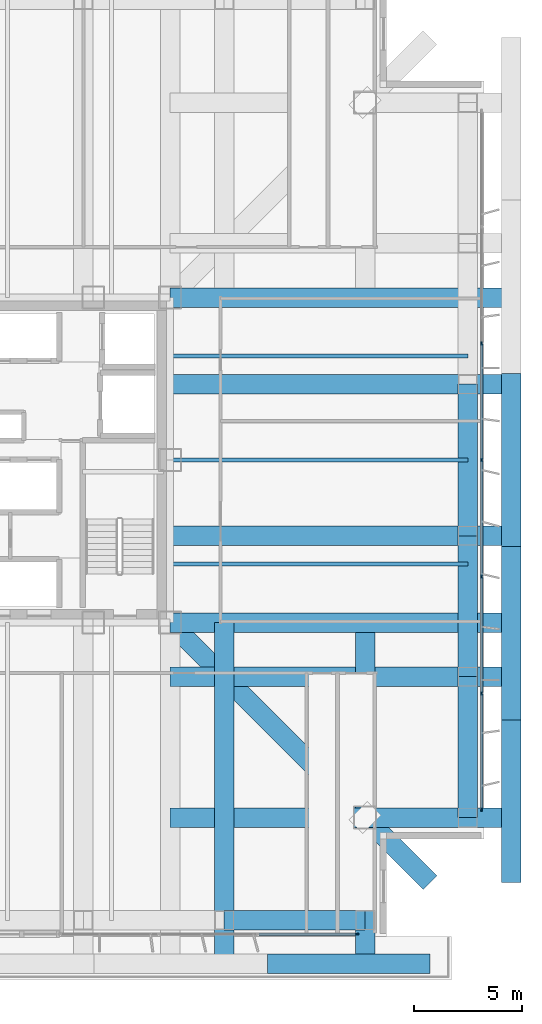
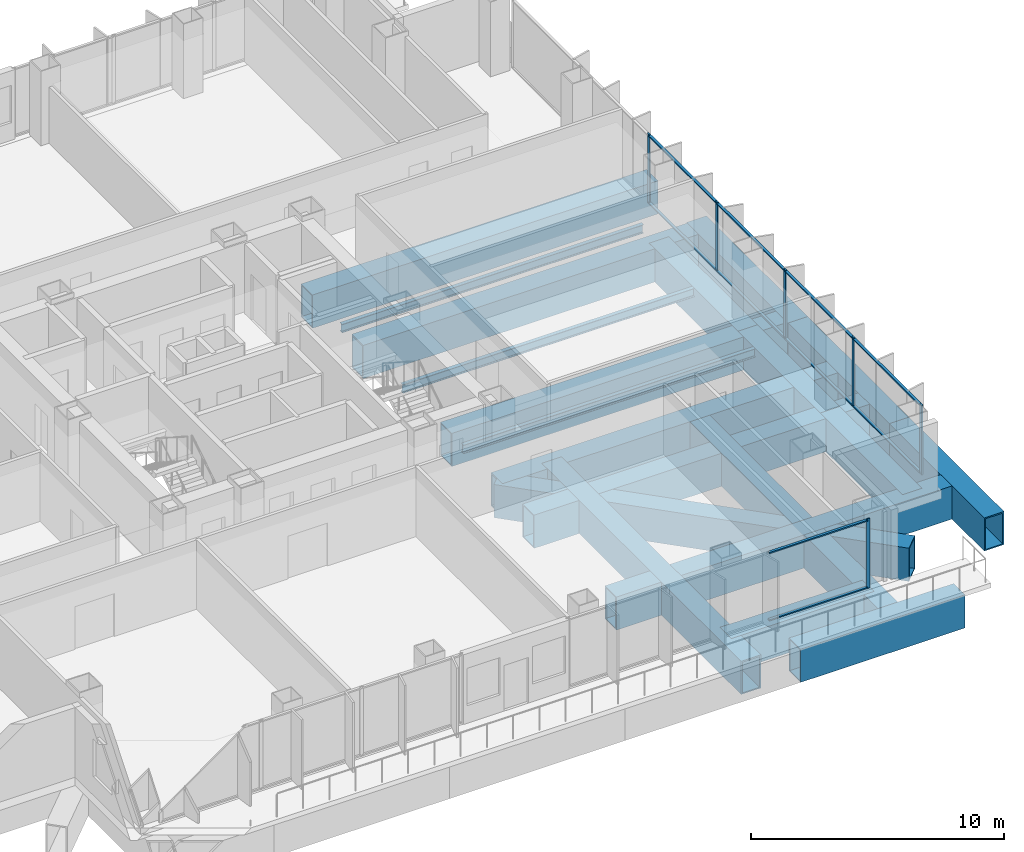
# One storey, part 6 of 17: 20 beams, 16 members, 2 elements without a shape of their own.
"""IFC4 building model written with IfcOpenShell, lengths in metres."""

import ifcopenshell
import ifcopenshell.guid

model = None  # the IFC model being written
_history = None  # IfcOwnerHistory: only IFC2X3 demands one
_inside = {}  # id of a spatial element -> (the spatial element, [elements in it])
_under = {}  # id of a project, library or spatial element -> (it, [spatial elements below it])
_declared = {}  # id of a project -> (the project, [libraries it declares])
_typed = {}  # id of a type object -> (the type object, [elements of that type])
_made_of = {}  # id of a material, layer set ... -> (it, [elements and type objects made of it])


def new_model(schema):
    """Start an empty IFC model of exactly this schema.

    Asked for "IFC4X3", IfcOpenShell would pick the latest addendum, in which some entities
    have other attributes; the version numbers below select the first issue.
    IFC2X3 requires an IfcOwnerHistory on every rooted entity: one is made here for all.
    """
    global model, _history
    if schema == "IFC4X3":
        model = ifcopenshell.file(schema_version=(4, 3, 0, 0))
    else:
        model = ifcopenshell.file(schema=schema)
    _inside.clear()
    _under.clear()
    _declared.clear()
    _typed.clear()
    _made_of.clear()
    _history = None
    if model.schema == "IFC2X3":
        org = make("IfcOrganization", Name="unknown")
        user = make(
            "IfcPersonAndOrganization",
            ThePerson=make("IfcPerson", FamilyName="unknown"),
            TheOrganization=org,
        )
        app = make(
            "IfcApplication",
            ApplicationDeveloper=org,
            Version="unknown",
            ApplicationFullName="unknown",
            ApplicationIdentifier="unknown",
        )
        _history = make(
            "IfcOwnerHistory",
            OwningUser=user,
            OwningApplication=app,
            ChangeAction="ADDED",
            CreationDate=0,
        )
    return model


def make(cls, **values):
    """One entity of the class cls with the attributes given. An attribute that is None is left unset."""
    return model.create_entity(
        cls, **{name: value for name, value in values.items() if value is not None}
    )


def rooted(cls, **values):
    """An entity with a GlobalId (a new one), such as an element, a storey or a relation."""
    return make(cls, GlobalId=ifcopenshell.guid.new(), OwnerHistory=_history, **values)


def si_unit(unit_type, name, prefix=None):
    """IfcSIUnit, for example si_unit("LENGTHUNIT", "METRE", prefix="MILLI")."""
    return make("IfcSIUnit", UnitType=unit_type, Prefix=prefix, Name=name)


def assignment(units):
    """IfcUnitAssignment: the units of a project."""
    return None if units is None else make("IfcUnitAssignment", Units=units)


def point(xyz):
    """IfcCartesianPoint."""
    return None if xyz is None else make("IfcCartesianPoint", Coordinates=xyz)


def direction(xyz):
    """IfcDirection."""
    return None if xyz is None else make("IfcDirection", DirectionRatios=xyz)


def frame(location, z_axis=None, x_axis=None):
    """IfcAxis2Placement3D, a coordinate frame: its origin and axes. An axis left out is left unset."""
    return make(
        "IfcAxis2Placement3D",
        Location=point(location),
        Axis=direction(z_axis),
        RefDirection=direction(x_axis),
    )


def frame_2d(location, x_axis=None):
    """IfcAxis2Placement2D, a coordinate frame in the plane: its origin and x axis."""
    return make(
        "IfcAxis2Placement2D", Location=point(location), RefDirection=direction(x_axis)
    )


def origin():
    """The frame at (0, 0, 0) with its axes left unset."""
    return frame((0.0, 0.0, 0.0))


def origin_2d():
    """The frame at (0, 0) in the plane with its x axis left unset."""
    return frame_2d((0.0, 0.0))


def place(relative_to, where):
    """IfcLocalPlacement: puts the frame where relative to a parent placement (None: the world)."""
    return make(
        "IfcLocalPlacement", PlacementRelTo=relative_to, RelativePlacement=where
    )


def context(
    kind, dimensions, precision=None, world=None, true_north=None, identifier=None
):
    """IfcGeometricRepresentationContext, for example the 3D "Model" context."""
    return make(
        "IfcGeometricRepresentationContext",
        ContextIdentifier=identifier,
        ContextType=kind,
        CoordinateSpaceDimension=dimensions,
        Precision=precision,
        WorldCoordinateSystem=world,
        TrueNorth=true_north,
    )


def subcontext(parent, identifier, kind, view, scale=None):
    """IfcGeometricRepresentationSubContext, for example "Body" below "Model"."""
    return make(
        "IfcGeometricRepresentationSubContext",
        ContextIdentifier=identifier,
        ContextType=kind,
        ParentContext=parent,
        TargetScale=scale,
        TargetView=view,
    )


def project(units=None, contexts=None):
    """IfcProject with its units and contexts."""
    return rooted(
        "IfcProject",
        Name="project",
        RepresentationContexts=contexts,
        UnitsInContext=assignment(units),
    )


def spatial(cls, under=None, at=None, **own):
    """A site, building, storey or space (cls), placed at a placement, below another one or the project."""
    s = rooted(cls, ObjectPlacement=at, **own)
    if under is not None:
        _under.setdefault(under.id(), (under, []))[1].append(s)
    return s


def profile(cls, at=None, kind="AREA", **sizes):
    """A parametric profile (cls). Its sizes go by their IFC names, for example OverallWidth=200.0."""
    return make(cls, ProfileType=kind, Position=at, **sizes)


def rectangle(**sizes):
    """IfcRectangleProfileDef."""
    return profile("IfcRectangleProfileDef", **sizes)


def hollow_rectangle(**sizes):
    """IfcRectangleHollowProfileDef."""
    return profile("IfcRectangleHollowProfileDef", **sizes)


def i_section(**sizes):
    """IfcIShapeProfileDef."""
    return profile("IfcIShapeProfileDef", **sizes)


def extrude(swept, where, along, depth):
    """IfcExtrudedAreaSolid: the profile swept, set in the frame where, extruded along a direction by depth."""
    return make(
        "IfcExtrudedAreaSolid",
        SweptArea=swept,
        Position=where,
        ExtrudedDirection=direction(along),
        Depth=depth,
    )


def shape(context_of_items, identifier, shape_type, items):
    """IfcShapeRepresentation: the items that make up one representation, for example the "Body"."""
    return make(
        "IfcShapeRepresentation",
        ContextOfItems=context_of_items,
        RepresentationIdentifier=identifier,
        RepresentationType=shape_type,
        Items=items,
    )


def material(Name=None, Category=None):
    """IfcMaterial."""
    return make("IfcMaterial", Name=Name, Category=Category)


def layer(
    of_material, thickness, ventilated=None, Name=None, Category=None, Priority=None
):
    """IfcMaterialLayer: one layer of a wall or slab, of a material (None: an air gap)."""
    return make(
        "IfcMaterialLayer",
        Material=of_material,
        LayerThickness=thickness,
        IsVentilated=ventilated,
        Name=Name,
        Category=Category,
        Priority=Priority,
    )


def layer_set(layers, Name=None):
    """IfcMaterialLayerSet."""
    return make("IfcMaterialLayerSet", MaterialLayers=layers, LayerSetName=Name)


def material_profile(
    of_material, cross_section, Name=None, Category=None, Priority=None
):
    """IfcMaterialProfile: a cross section and its material."""
    return make(
        "IfcMaterialProfile",
        Name=Name,
        Material=of_material,
        Profile=cross_section,
        Priority=Priority,
        Category=Category,
    )


def profile_set(profiles, Name=None, composite=None):
    """IfcMaterialProfileSet."""
    return make(
        "IfcMaterialProfileSet",
        Name=Name,
        MaterialProfiles=profiles,
        CompositeProfile=composite,
    )


def made_of(thing, what):
    """Note that an element or type object is made of a material, layer set ...; save() writes the relation."""
    if what is not None:
        _made_of.setdefault(what.id(), (what, []))[1].append(thing)
    return thing


def type_object(cls, material=None, **own):
    """A type object (cls), such as IfcWallType, which elements share."""
    return made_of(rooted(cls, **own), material)


def element(
    cls,
    number,
    at=None,
    inside=None,
    cuts=None,
    type_object=None,
    material=None,
    context=None,
    identifier="Body",
    shape_type=None,
    held_by="IfcProductDefinitionShape",
    body=None,
    shapes=None,
    **own,
):
    """One element of the class cls, such as IfcWall. Its Tag is "e" and its number.

    at: its placement. inside: the storey or other place that contains it. cuts: it is an
    opening in that element (IfcRelVoidsElement). A single representation is given by context,
    identifier, shape_type and body (its items); several are given by shapes. held_by: the class
    of the entity that holds the representations. save() writes the other relations.
    """
    e = rooted(cls, Tag="e%d" % number, ObjectPlacement=at, **own)
    if body is not None:
        shapes = [shape(context, identifier, shape_type, body)]
    if shapes is not None:
        e.Representation = make(held_by, Representations=shapes)
    if inside is not None:
        _inside.setdefault(inside.id(), (inside, []))[1].append(e)
    if cuts is not None:
        rooted(
            "IfcRelVoidsElement", RelatingBuildingElement=cuts, RelatedOpeningElement=e
        )
    if type_object is not None:
        _typed.setdefault(type_object.id(), (type_object, []))[1].append(e)
    return made_of(e, material)


def aggregate(whole, parts):
    """IfcRelAggregates: a whole, such as a stair, and the parts it consists of."""
    return rooted("IfcRelAggregates", RelatingObject=whole, RelatedObjects=parts)


def save(model, path):
    """Write the relations noted so far, then the file.

    IfcRelAggregates (storeys below a building ...), IfcRelContainedInSpatialStructure (elements
    in a storey), IfcRelDefinesByType, IfcRelAssociatesMaterial and IfcRelDeclares: one each for
    every whole, place, type object, material and project.
    """
    for whole, parts in _under.values():
        aggregate(whole, parts)
    for where, things in _inside.values():
        rooted(
            "IfcRelContainedInSpatialStructure",
            RelatedElements=things,
            RelatingStructure=where,
        )
    for kind, things in _typed.values():
        rooted("IfcRelDefinesByType", RelatedObjects=things, RelatingType=kind)
    for what, things in _made_of.values():
        rooted("IfcRelAssociatesMaterial", RelatedObjects=things, RelatingMaterial=what)
    for by, libraries in _declared.values():
        rooted("IfcRelDeclares", RelatingContext=by, RelatedDefinitions=libraries)
    model.write(path)


model = new_model("IFC4")

# Units and contexts
model_context = context("Model", 3, precision=1e-05, world=origin(), true_north=direction((0.0, 1.0)))
body_context = subcontext(model_context, "Body", "Model", "MODEL_VIEW")
ifc_project = project(units=[si_unit("LENGTHUNIT", "METRE"), si_unit("AREAUNIT", "SQUARE_METRE"), si_unit("VOLUMEUNIT", "CUBIC_METRE"), si_unit("PLANEANGLEUNIT", "RADIAN"), si_unit("MASSUNIT", "GRAM", prefix="KILO")], contexts=[model_context])

# Site, building, storey
site_placement = place(None, origin())
site = spatial("IfcSite", under=ifc_project, at=site_placement, CompositionType="ELEMENT")
building_placement = place(site_placement, origin())
building = spatial("IfcBuilding", under=site, at=building_placement, Name="Trevonay Congress Spire", CompositionType="ELEMENT")
storey_placement = place(building_placement, frame((0.0, 0.0, 94.0)))
storey = spatial("IfcBuildingStorey", under=building, at=storey_placement, Name="L23", CompositionType="ELEMENT", Elevation=94.0)

# Beams
ifc_material_1 = material(Name="Steel ASTM A572 Grade 50", Category="steel")
ifc_material_profile_1 = material_profile(ifc_material_1, hollow_rectangle(XDim=0.89990234375, YDim=1.60009765625, WallThickness=0.06005859375, at=origin_2d()), Name="BOX 1600x900x60")
ifc_profile_set_1 = profile_set([ifc_material_profile_1], Name="Steel ASTM A572 Grade 50")
beam_type_1 = type_object("IfcBeamType", Name="BM-RING-BOX1600", PredefinedType="BEAM", material=ifc_profile_set_1)
for number, where, z_axis, x_axis, name in (
    (1, (21.25, -16.5, -1.199951171875), (0.0, 1.0, 0.0), (-1.0, 0.0, 0.0), "L23 structural beam BM-L23-PE1"),
    (2, (21.25, -10.0, -1.199951171875), (0.0, 1.0, 0.0), (-1.0, 0.0, 0.0), "L23 structural beam BM-L23-PE2"),
):
    element("IfcBeam", number, at=place(storey_placement, frame(where, z_axis=z_axis, x_axis=x_axis)), inside=storey, type_object=beam_type_1, Name=name, PredefinedType="BEAM", context=body_context, shape_type="SweptSolid", body=[
        extrude(hollow_rectangle(XDim=0.89990234375, YDim=1.60009765625, WallThickness=0.06005859375, at=origin_2d()), origin(), (0.0, 0.0, 1.0), 6.5),
    ])
beam_1_placement = place(storey_placement, frame((21.25, -3.5, -1.199951171875), z_axis=(0.0, 1.0, 0.0), x_axis=(-1.0, 0.0, 0.0)))
element("IfcBeam", 3, at=beam_1_placement, inside=storey, type_object=beam_type_1, Name="L23 structural beam BM-L23-PE3", PredefinedType="BEAM", context=body_context, shape_type="SweptSolid", body=[
    extrude(hollow_rectangle(XDim=0.89990234375, YDim=1.60009765625, WallThickness=0.06005859375, at=origin_2d()), origin(), (0.0, 0.0, 1.0), 7.0),
])
beam_2_placement = place(storey_placement, frame((10.0, -21.25, -1.199951171875), z_axis=(1.0, 0.0, 0.0), x_axis=(0.0, 1.0, 0.0)))
element("IfcBeam", 4, at=beam_2_placement, inside=storey, type_object=beam_type_1, Name="L23 structural beam BM-L23-PS5", PredefinedType="BEAM", context=body_context, shape_type="SweptSolid", body=[
    extrude(hollow_rectangle(XDim=0.89990234375, YDim=1.60009765625, WallThickness=0.06005859375, at=origin_2d()), origin(), (0.0, 0.0, 1.0), 6.5),
])
beam_3_placement = place(storey_placement, frame((23.25, -19.5, -1.199951171875), z_axis=(0.0, 1.0, 0.0), x_axis=(-1.0, 0.0, 0.0)))
element("IfcBeam", 5, at=beam_3_placement, inside=storey, type_object=beam_type_1, Name="L23 structural beam XOUT-L23-E0", PredefinedType="BEAM", context=body_context, shape_type="SweptSolid", body=[
    extrude(hollow_rectangle(XDim=0.89990234375, YDim=1.60009765625, WallThickness=0.06005859375, at=origin_2d()), origin(), (0.0, 0.0, 1.0), 7.5),
])
for number, where, z_axis, x_axis, name in (
    (6, (23.25, -12.0, -1.199951171875), (0.0, 1.0, 0.0), (-1.0, 0.0, 0.0), "L23 structural beam XOUT-L23-E1"),
    (7, (23.25, -4.0, -1.199951171875), (0.0, 1.0, 0.0), (-1.0, 0.0, 0.0), "L23 structural beam XOUT-L23-E2"),
):
    element("IfcBeam", number, at=place(storey_placement, frame(where, z_axis=z_axis, x_axis=x_axis)), inside=storey, type_object=beam_type_1, Name=name, PredefinedType="BEAM", context=body_context, shape_type="SweptSolid", body=[
        extrude(hollow_rectangle(XDim=0.89990234375, YDim=1.60009765625, WallThickness=0.06005859375, at=origin_2d()), origin(), (0.0, 0.0, 1.0), 8.0),
    ])
beam_4_placement = place(storey_placement, frame((12.0, -23.25, -1.199951171875), z_axis=(1.0, 0.0, 0.0), x_axis=(0.0, 1.0, 0.0)))
element("IfcBeam", 8, at=beam_4_placement, inside=storey, type_object=beam_type_1, Name="L23 structural beam XOUT-L23-S4", PredefinedType="BEAM", context=body_context, shape_type="SweptSolid", body=[
    extrude(hollow_rectangle(XDim=0.89990234375, YDim=1.60009765625, WallThickness=0.06005859375, at=origin_2d()), origin(), (0.0, 0.0, 1.0), 7.5),
])
ifc_material_profile_2 = material_profile(ifc_material_1, hollow_rectangle(XDim=0.89990234375, YDim=1.60009765625, WallThickness=0.06005859375, at=origin_2d()), Name="BOX 1600x900x60")
ifc_profile_set_2 = profile_set([ifc_material_profile_2], Name="Steel ASTM A572 Grade 50")
beam_type_2 = type_object("IfcBeamType", Name="BM-XFER-BOX1600", PredefinedType="BEAM", material=ifc_profile_set_2)
beam_5_placement = place(storey_placement, frame((7.5, -7.5, -1.199951171875), z_axis=(0.707106781187, -0.707106781187, 0.0), x_axis=(0.707106781187, 0.707106781187, 0.0)))
element("IfcBeam", 9, at=beam_5_placement, inside=storey, type_object=beam_type_2, Name="L23 structural beam BM-L23-CDSE", PredefinedType="BEAM", context=body_context, shape_type="SweptSolid", body=[
    extrude(hollow_rectangle(XDim=0.89990234375, YDim=1.60009765625, WallThickness=0.06005859375, at=origin_2d()), origin(), (0.0, 0.0, 1.0), 16.970458984375),
])
for number, where, z_axis, x_axis, name in (
    (10, (7.5, -7.5, -1.199951171875), (1.0, 0.0, 0.0), (0.0, 1.0, 0.0), "L23 structural beam XSPN-L23-CX-SE"),
    (11, (7.5, 7.5, -1.199951171875), (1.0, 0.0, 0.0), (0.0, 1.0, 0.0), "L23 structural beam XSPN-L23-CX-NE"),
    (12, (7.5, -16.5, -1.199951171875), (1.0, 0.0, 0.0), (0.0, 1.0, 0.0), "L23 structural beam XFER-L23-E0"),
    (13, (7.5, -10.0, -1.199951171875), (1.0, 0.0, 0.0), (0.0, 1.0, 0.0), "L23 structural beam XFER-L23-E1"),
    (14, (7.5, -3.5, -1.199951171875), (1.0, 0.0, 0.0), (0.0, 1.0, 0.0), "L23 structural beam XFER-L23-E2"),
    (15, (7.5, 3.5, -1.199951171875), (1.0, 0.0, 0.0), (0.0, 1.0, 0.0), "L23 structural beam XFER-L23-E3"),
    (16, (10.0, -7.5, -1.199951171875), (0.0, -1.0, 0.0), (1.0, 0.0, 0.0), "L23 structural beam XFER-L23-S4"),
    (17, (16.5, -7.5, -1.199951171875), (0.0, -1.0, 0.0), (1.0, 0.0, 0.0), "L23 structural beam XFER-L23-S5"),
):
    element("IfcBeam", number, at=place(storey_placement, frame(where, z_axis=z_axis, x_axis=x_axis)), inside=storey, type_object=beam_type_2, Name=name, PredefinedType="BEAM", context=body_context, shape_type="SweptSolid", body=[
        extrude(hollow_rectangle(XDim=0.89990234375, YDim=1.60009765625, WallThickness=0.06005859375, at=origin_2d()), origin(), (0.0, 0.0, 1.0), 15.75),
    ])

# Curtain wall, member
ifc_material_2 = material(Name="Pale Anodised Aluminium EN AW-6063-T6", Category="aluminium")
ifc_layer = layer(ifc_material_2, 0.175048828125, Name="Pale Anodised Aluminium EN AW-6063-T6")
ifc_layer_set = layer_set([ifc_layer], Name="Pale Anodised Aluminium EN AW-6063-T6")
curtain_wall_type = type_object("IfcCurtainWallType", Name="CW-SYS03-CONGRESS-PALE-METAL", PredefinedType="NOTDEFINED", material=ifc_layer_set)
curtain_wall_1_placement = place(storey_placement, origin())
curtain_wall_1 = element("IfcCurtainWall", 18, at=curtain_wall_1_placement, inside=storey, type_object=curtain_wall_type, Name="L23 SB unitised curtain wall", PredefinedType="NOTDEFINED")
ifc_material_profile_3 = material_profile(ifc_material_2, rectangle(XDim=0.06005859375, YDim=0.159912109375, at=origin_2d()), Name="CW-MULLION-160-ALUMINIUM")
ifc_profile_set_3 = profile_set([ifc_material_profile_3], Name="Pale Anodised Aluminium EN AW-6063-T6")
member_type_1 = type_object("IfcMemberType", Name="CW-MULLION-160-ALUMINIUM", PredefinedType="MULLION", material=ifc_profile_set_3)
member_1_placement = place(storey_placement, frame((16.1201171875, -21.8798828125, 0.0), z_axis=(0.0, 0.0, 1.0), x_axis=(0.0, 1.0, 0.0)))
member_1 = element("IfcMember", 19, at=member_1_placement, type_object=member_type_1, Name="CW03 mullion 4", PredefinedType="MULLION", context=body_context, shape_type="SweptSolid", body=[
    extrude(rectangle(XDim=0.06005859375, YDim=0.159912109375, at=origin_2d()), origin(), (0.0, 0.0, 1.0), 3.360107421875),
])

# Curtain wall, members
curtain_wall_2_placement = place(storey_placement, origin())
curtain_wall_2 = element("IfcCurtainWall", 20, at=curtain_wall_2_placement, inside=storey, type_object=curtain_wall_type, Name="L23 E unitised curtain wall", PredefinedType="NOTDEFINED")
member_2_placement = place(storey_placement, frame((21.8798828125, -16.1201171875, 0.0), z_axis=(0.0, 0.0, 1.0), x_axis=(-1.0, 0.0, 0.0)))
member_2 = element("IfcMember", 21, at=member_2_placement, type_object=member_type_1, Name="CW03 mullion 1", PredefinedType="MULLION", context=body_context, shape_type="SweptSolid", body=[
    extrude(rectangle(XDim=0.06005859375, YDim=0.159912109375, at=origin_2d()), origin(), (0.0, 0.0, 1.0), 3.360107421875),
])
member_3_placement = place(storey_placement, frame((21.8798828125, -10.7666015625, 0.0), z_axis=(0.0, 0.0, 1.0), x_axis=(-1.0, 0.0, 0.0)))
member_3 = element("IfcMember", 22, at=member_3_placement, type_object=member_type_1, Name="CW03 mullion 2", PredefinedType="MULLION", context=body_context, shape_type="SweptSolid", body=[
    extrude(rectangle(XDim=0.06005859375, YDim=0.159912109375, at=origin_2d()), origin(), (0.0, 0.0, 1.0), 3.360107421875),
])
member_4_placement = place(storey_placement, frame((21.8798828125, -5.38330078125, 0.0), z_axis=(0.0, 0.0, 1.0), x_axis=(-1.0, 0.0, 0.0)))
member_4 = element("IfcMember", 23, at=member_4_placement, type_object=member_type_1, Name="CW03 mullion 3", PredefinedType="MULLION", context=body_context, shape_type="SweptSolid", body=[
    extrude(rectangle(XDim=0.06005859375, YDim=0.159912109375, at=origin_2d()), origin(), (0.0, 0.0, 1.0), 3.360107421875),
])
member_5_placement = place(storey_placement, frame((21.8798828125, 0.0, 0.0), z_axis=(0.0, 0.0, 1.0), x_axis=(-1.0, 0.0, 0.0)))
member_5 = element("IfcMember", 24, at=member_5_placement, type_object=member_type_1, Name="CW03 mullion 4", PredefinedType="MULLION", context=body_context, shape_type="SweptSolid", body=[
    extrude(rectangle(XDim=0.06005859375, YDim=0.159912109375, at=origin_2d()), origin(), (0.0, 0.0, 1.0), 3.360107421875),
])
member_6_placement = place(storey_placement, frame((21.8798828125, 5.38330078125, 0.0), z_axis=(0.0, 0.0, 1.0), x_axis=(-1.0, 0.0, 0.0)))
member_6 = element("IfcMember", 25, at=member_6_placement, type_object=member_type_1, Name="CW03 mullion 5", PredefinedType="MULLION", context=body_context, shape_type="SweptSolid", body=[
    extrude(rectangle(XDim=0.06005859375, YDim=0.159912109375, at=origin_2d()), origin(), (0.0, 0.0, 1.0), 3.360107421875),
])

# Member
ifc_material_profile_4 = material_profile(ifc_material_2, rectangle(XDim=0.1201171875, YDim=0.06005859375, at=origin_2d()), Name="CW-TRANSOM-120-ALUMINIUM")
ifc_profile_set_4 = profile_set([ifc_material_profile_4], Name="Pale Anodised Aluminium EN AW-6063-T6")
member_type_2 = type_object("IfcMemberType", Name="CW-TRANSOM-120-ALUMINIUM", PredefinedType="USERDEFINED", material=ifc_profile_set_4)
member_7_placement = place(storey_placement, frame((11.5966796875, -21.8798828125, 0.06005859375), z_axis=(1.0, 0.0, 0.0), x_axis=(0.0, 1.0, 0.0)))
member_7 = element("IfcMember", 26, at=member_7_placement, type_object=member_type_2, Name="CW03 transom 3.1", ObjectType="TRANSOM", PredefinedType="USERDEFINED", context=body_context, shape_type="SweptSolid", body=[
    extrude(rectangle(XDim=0.1201171875, YDim=0.06005859375, at=origin_2d()), origin(), (0.0, 0.0, 1.0), 4.493408203125),
])

member_8_placement = place(storey_placement, frame((11.5966796875, -21.8798828125, 3.300048828125), z_axis=(1.0, 0.0, 0.0), x_axis=(0.0, 1.0, 0.0)))
member_8 = element("IfcMember", 27, at=member_8_placement, type_object=member_type_2, Name="CW03 transom 3.2", ObjectType="TRANSOM", PredefinedType="USERDEFINED", context=body_context, shape_type="SweptSolid", body=[
    extrude(rectangle(XDim=0.1201171875, YDim=0.06005859375, at=origin_2d()), origin(), (0.0, 0.0, 1.0), 4.493408203125),
])

aggregate(curtain_wall_1, [member_1, member_7, member_8])

member_9_placement = place(storey_placement, frame((21.8798828125, -16.090087890625, 0.06005859375), z_axis=(0.0, 1.0, 0.0), x_axis=(-1.0, 0.0, 0.0)))
member_9 = element("IfcMember", 28, at=member_9_placement, type_object=member_type_2, Name="CW03 transom 1.1", ObjectType="TRANSOM", PredefinedType="USERDEFINED", context=body_context, shape_type="SweptSolid", body=[
    extrude(rectangle(XDim=0.1201171875, YDim=0.06005859375, at=origin_2d()), origin(), (0.0, 0.0, 1.0), 5.29345703125),
])

member_10_placement = place(storey_placement, frame((21.8798828125, -16.090087890625, 3.300048828125), z_axis=(0.0, 1.0, 0.0), x_axis=(-1.0, 0.0, 0.0)))
member_10 = element("IfcMember", 29, at=member_10_placement, type_object=member_type_2, Name="CW03 transom 1.2", ObjectType="TRANSOM", PredefinedType="USERDEFINED", context=body_context, shape_type="SweptSolid", body=[
    extrude(rectangle(XDim=0.1201171875, YDim=0.06005859375, at=origin_2d()), origin(), (0.0, 0.0, 1.0), 5.29345703125),
])

member_11_placement = place(storey_placement, frame((21.8798828125, -10.736572265625, 0.06005859375), z_axis=(0.0, 1.0, 0.0), x_axis=(-1.0, 0.0, 0.0)))
member_11 = element("IfcMember", 30, at=member_11_placement, type_object=member_type_2, Name="CW03 transom 2.1", ObjectType="TRANSOM", PredefinedType="USERDEFINED", context=body_context, shape_type="SweptSolid", body=[
    extrude(rectangle(XDim=0.1201171875, YDim=0.06005859375, at=origin_2d()), origin(), (0.0, 0.0, 1.0), 5.3232421875),
])

member_12_placement = place(storey_placement, frame((21.8798828125, -10.736572265625, 3.300048828125), z_axis=(0.0, 1.0, 0.0), x_axis=(-1.0, 0.0, 0.0)))
member_12 = element("IfcMember", 31, at=member_12_placement, type_object=member_type_2, Name="CW03 transom 2.2", ObjectType="TRANSOM", PredefinedType="USERDEFINED", context=body_context, shape_type="SweptSolid", body=[
    extrude(rectangle(XDim=0.1201171875, YDim=0.06005859375, at=origin_2d()), origin(), (0.0, 0.0, 1.0), 5.3232421875),
])

member_13_placement = place(storey_placement, frame((21.8798828125, -5.353271484375, 0.06005859375), z_axis=(0.0, 1.0, 0.0), x_axis=(-1.0, 0.0, 0.0)))
member_13 = element("IfcMember", 32, at=member_13_placement, type_object=member_type_2, Name="CW03 transom 3.1", ObjectType="TRANSOM", PredefinedType="USERDEFINED", context=body_context, shape_type="SweptSolid", body=[
    extrude(rectangle(XDim=0.1201171875, YDim=0.06005859375, at=origin_2d()), origin(), (0.0, 0.0, 1.0), 5.3232421875),
])

member_14_placement = place(storey_placement, frame((21.8798828125, -5.353271484375, 3.300048828125), z_axis=(0.0, 1.0, 0.0), x_axis=(-1.0, 0.0, 0.0)))
member_14 = element("IfcMember", 33, at=member_14_placement, type_object=member_type_2, Name="CW03 transom 3.2", ObjectType="TRANSOM", PredefinedType="USERDEFINED", context=body_context, shape_type="SweptSolid", body=[
    extrude(rectangle(XDim=0.1201171875, YDim=0.06005859375, at=origin_2d()), origin(), (0.0, 0.0, 1.0), 5.3232421875),
])

member_15_placement = place(storey_placement, frame((21.8798828125, 0.030029296875, 0.06005859375), z_axis=(0.0, 1.0, 0.0), x_axis=(-1.0, 0.0, 0.0)))
member_15 = element("IfcMember", 34, at=member_15_placement, type_object=member_type_2, Name="CW03 transom 4.1", ObjectType="TRANSOM", PredefinedType="USERDEFINED", context=body_context, shape_type="SweptSolid", body=[
    extrude(rectangle(XDim=0.1201171875, YDim=0.06005859375, at=origin_2d()), origin(), (0.0, 0.0, 1.0), 5.3232421875),
])

member_16_placement = place(storey_placement, frame((21.8798828125, 0.030029296875, 3.300048828125), z_axis=(0.0, 1.0, 0.0), x_axis=(-1.0, 0.0, 0.0)))
member_16 = element("IfcMember", 35, at=member_16_placement, type_object=member_type_2, Name="CW03 transom 4.2", ObjectType="TRANSOM", PredefinedType="USERDEFINED", context=body_context, shape_type="SweptSolid", body=[
    extrude(rectangle(XDim=0.1201171875, YDim=0.06005859375, at=origin_2d()), origin(), (0.0, 0.0, 1.0), 5.3232421875),
])

aggregate(curtain_wall_2, [member_2, member_3, member_4, member_5, member_6, member_9, member_10, member_11, member_12, member_13, member_14, member_15, member_16])

# Beams
ifc_material_profile_5 = material_profile(ifc_material_1, i_section(OverallWidth=0.177978515625, OverallDepth=0.406982421875, WebThickness=0.0078125, FlangeThickness=0.0126953125, FilletRadius=0.012939453125, at=origin_2d()), Name="W410x60")
ifc_profile_set_5 = profile_set([ifc_material_profile_5], Name="Steel ASTM A572 Grade 50")
beam_type_3 = type_object("IfcBeamType", Name="JS-COMP-W410X60", PredefinedType="JOIST", material=ifc_profile_set_5)
for number, where, z_axis, x_axis, name in (
    (36, (7.5, -4.800048828125, -0.603515625), (1.0, 0.0, 0.0), (0.0, 1.0, 0.0), "L23 structural beam JS-L23-EW-E1"),
    (37, (7.5, 0.0, -0.603515625), (1.0, 0.0, 0.0), (0.0, 1.0, 0.0), "L23 structural beam JS-L23-EW-E2"),
    (38, (7.5, 4.800048828125, -0.603515625), (1.0, 0.0, 0.0), (0.0, 1.0, 0.0), "L23 structural beam JS-L23-EW-E3"),
):
    element("IfcBeam", number, at=place(storey_placement, frame(where, z_axis=z_axis, x_axis=x_axis)), inside=storey, type_object=beam_type_3, Name=name, PredefinedType="JOIST", context=body_context, shape_type="SweptSolid", body=[
        extrude(i_section(OverallWidth=0.177978515625, OverallDepth=0.406982421875, WebThickness=0.0078125, FlangeThickness=0.0126953125, FilletRadius=0.012939453125, at=origin_2d()), origin(), (0.0, 0.0, 1.0), 13.75),
    ])

save(model, "model.ifc")
